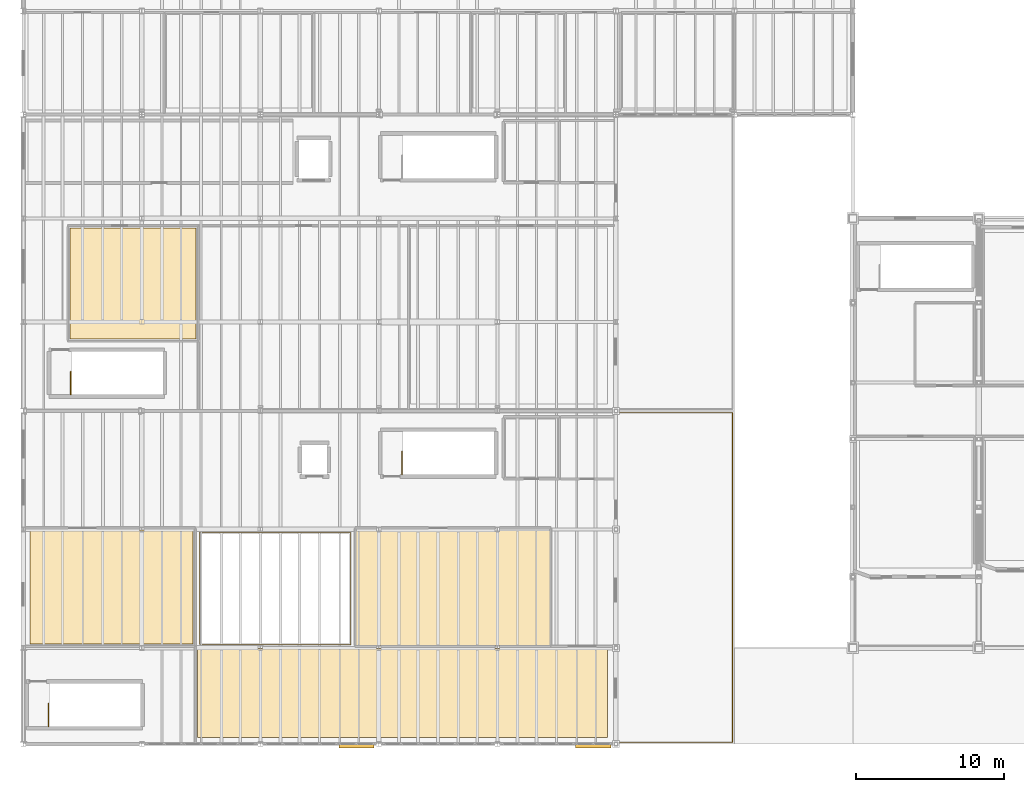
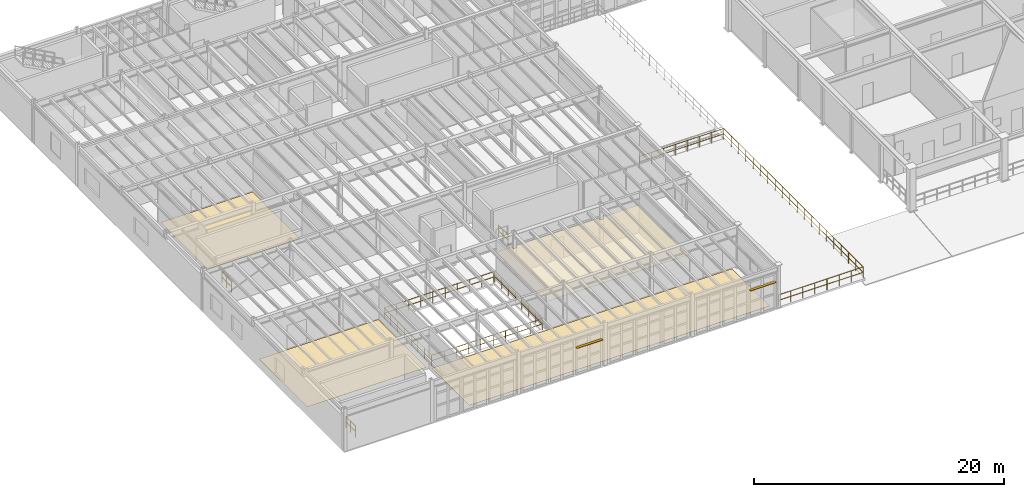
# One storey, part 71 of 78: 6 railings, 4 coverings, 2 shading devices.
"""IFC4 building model written with IfcOpenShell, lengths in metres."""

from ifc_helpers import new_model, si_unit, direction, frame, origin, origin_2d, place, context, subcontext, project, spatial, polyline, rectangle, circle, outline, extrude, material, layer, layer_set, type_object, element, save


model = new_model("IFC4")

# Units and contexts
model_context = context("Model", 3, precision=1e-05, world=origin(), true_north=direction((0.0, 1.0)))
body_context = subcontext(model_context, "Body", "Model", "MODEL_VIEW")
ifc_project = project(units=[si_unit("LENGTHUNIT", "METRE"), si_unit("AREAUNIT", "SQUARE_METRE"), si_unit("VOLUMEUNIT", "CUBIC_METRE"), si_unit("PLANEANGLEUNIT", "RADIAN"), si_unit("MASSUNIT", "GRAM", prefix="KILO"), si_unit("THERMODYNAMICTEMPERATUREUNIT", "KELVIN"), si_unit("POWERUNIT", "WATT")], contexts=[model_context])

# Site, building, storey
site_placement = place(None, origin())
site = spatial("IfcSite", under=ifc_project, at=site_placement, CompositionType="ELEMENT")
building_placement = place(site_placement, origin())
building = spatial("IfcBuilding", under=site, at=building_placement, Name="Zhenchuan Central Fire Station", CompositionType="ELEMENT")
storey_placement = place(building_placement, frame((0.0, 0.0, 5.85009765625)))
storey = spatial("IfcBuildingStorey", under=building, at=storey_placement, Name="L02", CompositionType="ELEMENT", Elevation=5.85009765625)

# Coverings
ifc_material_1 = material(Name="Gypsum plasterboard acoustic ceiling", Category="gypsum")
ifc_layer_1 = layer(ifc_material_1, 0.01806640625, Name="Gypsum plasterboard acoustic ceiling", Category="gypsum")
ifc_layer_set_1 = layer_set([ifc_layer_1], Name="Gypsum plasterboard acoustic ceiling")
covering_type_1 = type_object("IfcCoveringType", Name="COV-CEIL-GYP", PredefinedType="CEILING", material=ifc_layer_set_1)
covering_1_placement = place(storey_placement, frame((0.0, 0.0, 2.64990234375)))
element("IfcCovering", 1, at=covering_1_placement, inside=storey, type_object=covering_type_1, Name="Youth Fire-Safety Classroom Acoustic Ceiling", PredefinedType="CEILING", context=body_context, shape_type="SweptSolid", body=[
    extrude(outline(polyline([(35.60009765625, 14.60009765625), (35.60009765625, 6.60009765625), (32.155029296875, 6.60009765625), (32.155029296875, 6.655029296875), (31.844970703125, 6.655029296875), (31.844970703125, 6.60009765625), (24.155029296875, 6.60009765625), (24.155029296875, 6.655029296875), (23.844970703125, 6.655029296875), (23.844970703125, 6.60009765625), (22.39990234375, 6.60009765625), (22.39990234375, 14.60009765625), (23.844970703125, 14.60009765625), (23.844970703125, 14.344970703125), (24.155029296875, 14.344970703125), (24.155029296875, 14.60009765625), (31.844970703125, 14.60009765625), (31.844970703125, 14.344970703125), (32.155029296875, 14.344970703125), (32.155029296875, 14.60009765625), (35.60009765625, 14.60009765625)])), origin(), (0.0, 0.0, 1.0), 0.01806640625),
])
ifc_material_2 = material(Name="Heavy-duty slip-resistant ceramic tile flooring")
ifc_layer_2 = layer(ifc_material_2, 0.014892578125, Name="Heavy-duty slip-resistant ceramic tile flooring")
ifc_layer_set_2 = layer_set([ifc_layer_2], Name="Heavy-duty slip-resistant ceramic tile flooring")
covering_type_2 = type_object("IfcCoveringType", Name="COV-FLR-RES", PredefinedType="FLOORING", material=ifc_layer_set_2)
covering_2_placement = place(storey_placement, origin())
element("IfcCovering", 2, at=covering_2_placement, inside=storey, type_object=covering_type_2, Name="Upper Safety Interactive Gallery Ceramic Tile Flooring", PredefinedType="FLOORING", context=body_context, shape_type="SweptSolid", body=[
    extrude(outline(polyline([(11.75, 0.449951171875), (39.449951171875, 0.449951171875), (39.449951171875, 6.449951171875), (11.75, 6.449951171875), (11.75, 0.449951171875)])), origin(), (0.0, 0.0, 1.0), 0.014892578125),
])
covering_3_placement = place(storey_placement, origin())
element("IfcCovering", 3, at=covering_3_placement, inside=storey, type_object=covering_type_2, Name="Upper Theatre Projection Booth Ceramic Tile Flooring", PredefinedType="FLOORING", context=body_context, shape_type="SweptSolid", body=[
    extrude(outline(polyline([(0.449951171875, 6.75), (11.449951171875, 6.75), (11.449951171875, 14.449951171875), (0.449951171875, 14.449951171875), (0.449951171875, 6.75)])), origin(), (0.0, 0.0, 1.0), 0.014892578125),
])
covering_4_placement = place(storey_placement, origin())
element("IfcCovering", 4, at=covering_4_placement, inside=storey, type_object=covering_type_2, Name="Confined Search Training Maze Ceramic Tile Flooring", PredefinedType="FLOORING", context=body_context, shape_type="SweptSolid", body=[
    extrude(outline(polyline([(3.14990234375, 27.35009765625), (11.64990234375, 27.35009765625), (11.64990234375, 34.85009765625), (3.14990234375, 34.85009765625), (3.14990234375, 27.35009765625)])), origin(), (0.0, 0.0, 1.0), 0.014892578125),
])

# Railings
ifc_material_3 = material(Name="Galvanised powder-coated steel", Category="steel")
railing_type_1 = type_object("IfcRailingType", Name="RL-EXT-GRD", PredefinedType="GUARDRAIL", material=ifc_material_3)
railing_1_placement = place(storey_placement, frame((11.89990234375, 6.699951171875, 0.0)))
element("IfcRailing", 5, at=railing_1_placement, inside=storey, type_object=railing_type_1, Name="L02 Lecture Theatre Void South-East Guardrail", PredefinedType="GUARDRAIL", context=body_context, shape_type="SweptSolid", body=[
    extrude(circle(Radius=0.02392578125, at=origin_2d()), frame((0.0, 0.0, 1.076171875), z_axis=(1.0, 0.0, 0.0), x_axis=(0.0, 1.0, 0.0)), (0.0, 0.0, 1.0), 10.2001953125),
    extrude(circle(Radius=0.02392578125, at=origin_2d()), frame((0.0, 0.0, 0.550048828125), z_axis=(1.0, 0.0, 0.0), x_axis=(0.0, 1.0, 0.0)), (0.0, 0.0, 1.0), 10.2001953125),
    extrude(circle(Radius=0.02392578125, at=origin_2d()), frame((10.2001953125, 0.0, 1.076171875), z_axis=(0.0, 1.0, 0.0), x_axis=(-1.0, 0.0, 0.0)), (0.0, 0.0, 1.0), 7.60009765625),
    extrude(circle(Radius=0.02392578125, at=origin_2d()), frame((10.2001953125, 0.0, 0.550048828125), z_axis=(0.0, 1.0, 0.0), x_axis=(-1.0, 0.0, 0.0)), (0.0, 0.0, 1.0), 7.60009765625),
    extrude(circle(Radius=0.02099609375, at=origin_2d()), origin(), (0.0, 0.0, 1.0), 1.052001953125),
    extrude(circle(Radius=0.02099609375, at=origin_2d()), frame((1.13330078125, 0.0, 0.0)), (0.0, 0.0, 1.0), 1.052001953125),
    extrude(circle(Radius=0.02099609375, at=origin_2d()), frame((2.2666015625, 0.0, 0.0)), (0.0, 0.0, 1.0), 1.052001953125),
    extrude(circle(Radius=0.02099609375, at=origin_2d()), frame((3.400146484375, 0.0, 0.0)), (0.0, 0.0, 1.0), 1.052001953125),
    extrude(circle(Radius=0.02099609375, at=origin_2d()), frame((4.533447265625, 0.0, 0.0)), (0.0, 0.0, 1.0), 1.052001953125),
    extrude(circle(Radius=0.02099609375, at=origin_2d()), frame((5.666748046875, 0.0, 0.0)), (0.0, 0.0, 1.0), 1.052001953125),
    extrude(circle(Radius=0.02099609375, at=origin_2d()), frame((6.800048828125, 0.0, 0.0)), (0.0, 0.0, 1.0), 1.052001953125),
    extrude(circle(Radius=0.02099609375, at=origin_2d()), frame((7.93359375, 0.0, 0.0)), (0.0, 0.0, 1.0), 1.052001953125),
    extrude(circle(Radius=0.02099609375, at=origin_2d()), frame((9.06689453125, 0.0, 0.0)), (0.0, 0.0, 1.0), 1.052001953125),
    extrude(circle(Radius=0.02099609375, at=origin_2d()), frame((10.2001953125, 0.0, 0.0)), (0.0, 0.0, 1.0), 1.052001953125),
    extrude(circle(Radius=0.02099609375, at=origin_2d()), frame((10.2001953125, 1.085693359375, 0.0)), (0.0, 0.0, 1.0), 1.052001953125),
    extrude(circle(Radius=0.02099609375, at=origin_2d()), frame((10.2001953125, 2.17138671875, 0.0)), (0.0, 0.0, 1.0), 1.052001953125),
    extrude(circle(Radius=0.02099609375, at=origin_2d()), frame((10.2001953125, 3.257080078125, 0.0)), (0.0, 0.0, 1.0), 1.052001953125),
    extrude(circle(Radius=0.02099609375, at=origin_2d()), frame((10.2001953125, 4.343017578125, 0.0)), (0.0, 0.0, 1.0), 1.052001953125),
    extrude(circle(Radius=0.02099609375, at=origin_2d()), frame((10.2001953125, 5.4287109375, 0.0)), (0.0, 0.0, 1.0), 1.052001953125),
    extrude(circle(Radius=0.02099609375, at=origin_2d()), frame((10.2001953125, 6.514404296875, 0.0)), (0.0, 0.0, 1.0), 1.052001953125),
    extrude(circle(Radius=0.02099609375, at=origin_2d()), frame((10.2001953125, 7.60009765625, 0.0)), (0.0, 0.0, 1.0), 1.052001953125),
])
railing_2_placement = place(storey_placement, frame((22.02001953125, 14.300048828125, 0.0)))
element("IfcRailing", 6, at=railing_2_placement, inside=storey, type_object=railing_type_1, Name="L02 Lecture Theatre Void North-West Guardrail", PredefinedType="GUARDRAIL", context=body_context, shape_type="SweptSolid", body=[
    extrude(circle(Radius=0.02392578125, at=origin_2d()), frame((0.0, 0.0, 1.076171875), z_axis=(-1.0, 0.0, 0.0), x_axis=(0.0, -1.0, 0.0)), (0.0, 0.0, 1.0), 10.1201171875),
    extrude(circle(Radius=0.02392578125, at=origin_2d()), frame((0.0, 0.0, 0.550048828125), z_axis=(-1.0, 0.0, 0.0), x_axis=(0.0, -1.0, 0.0)), (0.0, 0.0, 1.0), 10.1201171875),
    extrude(circle(Radius=0.02392578125, at=origin_2d()), frame((-10.1201171875, 0.0, 1.076171875), z_axis=(0.0, -1.0, 0.0), x_axis=(1.0, 0.0, 0.0)), (0.0, 0.0, 1.0), 7.52001953125),
    extrude(circle(Radius=0.02392578125, at=origin_2d()), frame((-10.1201171875, 0.0, 0.550048828125), z_axis=(0.0, -1.0, 0.0), x_axis=(1.0, 0.0, 0.0)), (0.0, 0.0, 1.0), 7.52001953125),
    extrude(circle(Radius=0.02099609375, at=origin_2d()), origin(), (0.0, 0.0, 1.0), 1.052001953125),
    extrude(circle(Radius=0.02099609375, at=origin_2d()), frame((-1.12451171875, 0.0, 0.0)), (0.0, 0.0, 1.0), 1.052001953125),
    extrude(circle(Radius=0.02099609375, at=origin_2d()), frame((-2.2490234375, 0.0, 0.0)), (0.0, 0.0, 1.0), 1.052001953125),
    extrude(circle(Radius=0.02099609375, at=origin_2d()), frame((-3.373291015625, 0.0, 0.0)), (0.0, 0.0, 1.0), 1.052001953125),
    extrude(circle(Radius=0.02099609375, at=origin_2d()), frame((-4.497802734375, 0.0, 0.0)), (0.0, 0.0, 1.0), 1.052001953125),
    extrude(circle(Radius=0.02099609375, at=origin_2d()), frame((-5.622314453125, 0.0, 0.0)), (0.0, 0.0, 1.0), 1.052001953125),
    extrude(circle(Radius=0.02099609375, at=origin_2d()), frame((-6.746826171875, 0.0, 0.0)), (0.0, 0.0, 1.0), 1.052001953125),
    extrude(circle(Radius=0.02099609375, at=origin_2d()), frame((-7.87109375, 0.0, 0.0)), (0.0, 0.0, 1.0), 1.052001953125),
    extrude(circle(Radius=0.02099609375, at=origin_2d()), frame((-8.99560546875, 0.0, 0.0)), (0.0, 0.0, 1.0), 1.052001953125),
    extrude(circle(Radius=0.02099609375, at=origin_2d()), frame((-10.1201171875, 0.0, 0.0)), (0.0, 0.0, 1.0), 1.052001953125),
    extrude(circle(Radius=0.02099609375, at=origin_2d()), frame((-10.1201171875, -1.07421875, 0.0)), (0.0, 0.0, 1.0), 1.052001953125),
    extrude(circle(Radius=0.02099609375, at=origin_2d()), frame((-10.1201171875, -2.148681640625, 0.0)), (0.0, 0.0, 1.0), 1.052001953125),
    extrude(circle(Radius=0.02099609375, at=origin_2d()), frame((-10.1201171875, -3.222900390625, 0.0)), (0.0, 0.0, 1.0), 1.052001953125),
    extrude(circle(Radius=0.02099609375, at=origin_2d()), frame((-10.1201171875, -4.297119140625, 0.0)), (0.0, 0.0, 1.0), 1.052001953125),
    extrude(circle(Radius=0.02099609375, at=origin_2d()), frame((-10.1201171875, -5.371337890625, 0.0)), (0.0, 0.0, 1.0), 1.052001953125),
    extrude(circle(Radius=0.02099609375, at=origin_2d()), frame((-10.1201171875, -6.44580078125, 0.0)), (0.0, 0.0, 1.0), 1.052001953125),
    extrude(circle(Radius=0.02099609375, at=origin_2d()), frame((-10.1201171875, -7.52001953125, 0.0)), (0.0, 0.0, 1.0), 1.052001953125),
])
railing_3_placement = place(storey_placement, frame((40.10009765625, 0.1201171875, 0.0)))
element("IfcRailing", 7, at=railing_3_placement, inside=storey, type_object=railing_type_1, Name="GRD-L02-V5TER", PredefinedType="GUARDRAIL", context=body_context, shape_type="SweptSolid", body=[
    extrude(circle(Radius=0.02392578125, at=origin_2d()), frame((0.0, 0.0, 1.076171875), z_axis=(1.0, 0.0, 0.0), x_axis=(0.0, 1.0, 0.0)), (0.0, 0.0, 1.0), 7.77978515625),
    extrude(circle(Radius=0.02392578125, at=origin_2d()), frame((0.0, 0.0, 0.550048828125), z_axis=(1.0, 0.0, 0.0), x_axis=(0.0, 1.0, 0.0)), (0.0, 0.0, 1.0), 7.77978515625),
    extrude(circle(Radius=0.02392578125, at=origin_2d()), frame((7.77978515625, 0.0, 1.076171875), z_axis=(0.0, 1.0, 0.0), x_axis=(-1.0, 0.0, 0.0)), (0.0, 0.0, 1.0), 22.259765625),
    extrude(circle(Radius=0.02392578125, at=origin_2d()), frame((7.77978515625, 0.0, 0.550048828125), z_axis=(0.0, 1.0, 0.0), x_axis=(-1.0, 0.0, 0.0)), (0.0, 0.0, 1.0), 22.259765625),
    extrude(circle(Radius=0.02392578125, at=origin_2d()), frame((7.77978515625, 22.259765625, 1.076171875), z_axis=(-1.0, 0.0, 0.0), x_axis=(0.0, -1.0, 0.0)), (0.0, 0.0, 1.0), 7.77978515625),
    extrude(circle(Radius=0.02392578125, at=origin_2d()), frame((7.77978515625, 22.259765625, 0.550048828125), z_axis=(-1.0, 0.0, 0.0), x_axis=(0.0, -1.0, 0.0)), (0.0, 0.0, 1.0), 7.77978515625),
    extrude(circle(Radius=0.02099609375, at=origin_2d()), origin(), (0.0, 0.0, 1.0), 1.052001953125),
    extrude(circle(Radius=0.02099609375, at=origin_2d()), frame((1.111328125, 0.0, 0.0)), (0.0, 0.0, 1.0), 1.052001953125),
    extrude(circle(Radius=0.02099609375, at=origin_2d()), frame((2.222900390625, 0.0, 0.0)), (0.0, 0.0, 1.0), 1.052001953125),
    extrude(circle(Radius=0.02099609375, at=origin_2d()), frame((3.334228515625, 0.0, 0.0)), (0.0, 0.0, 1.0), 1.052001953125),
    extrude(circle(Radius=0.02099609375, at=origin_2d()), frame((4.445556640625, 0.0, 0.0)), (0.0, 0.0, 1.0), 1.052001953125),
    extrude(circle(Radius=0.02099609375, at=origin_2d()), frame((5.556884765625, 0.0, 0.0)), (0.0, 0.0, 1.0), 1.052001953125),
    extrude(circle(Radius=0.02099609375, at=origin_2d()), frame((6.66845703125, 0.0, 0.0)), (0.0, 0.0, 1.0), 1.052001953125),
    extrude(circle(Radius=0.02099609375, at=origin_2d()), frame((7.77978515625, 0.0, 0.0)), (0.0, 0.0, 1.0), 1.052001953125),
    extrude(circle(Radius=0.02099609375, at=origin_2d()), frame((7.77978515625, 1.171630859375, 0.0)), (0.0, 0.0, 1.0), 1.052001953125),
    extrude(circle(Radius=0.02099609375, at=origin_2d()), frame((7.77978515625, 2.343017578125, 0.0)), (0.0, 0.0, 1.0), 1.052001953125),
    extrude(circle(Radius=0.02099609375, at=origin_2d()), frame((7.77978515625, 3.5146484375, 0.0)), (0.0, 0.0, 1.0), 1.052001953125),
    extrude(circle(Radius=0.02099609375, at=origin_2d()), frame((7.77978515625, 4.686279296875, 0.0)), (0.0, 0.0, 1.0), 1.052001953125),
    extrude(circle(Radius=0.02099609375, at=origin_2d()), frame((7.77978515625, 5.85791015625, 0.0)), (0.0, 0.0, 1.0), 1.052001953125),
    extrude(circle(Radius=0.02099609375, at=origin_2d()), frame((7.77978515625, 7.029296875, 0.0)), (0.0, 0.0, 1.0), 1.052001953125),
    extrude(circle(Radius=0.02099609375, at=origin_2d()), frame((7.77978515625, 8.200927734375, 0.0)), (0.0, 0.0, 1.0), 1.052001953125),
    extrude(circle(Radius=0.02099609375, at=origin_2d()), frame((7.77978515625, 9.37255859375, 0.0)), (0.0, 0.0, 1.0), 1.052001953125),
    extrude(circle(Radius=0.02099609375, at=origin_2d()), frame((7.77978515625, 10.544189453125, 0.0)), (0.0, 0.0, 1.0), 1.052001953125),
    extrude(circle(Radius=0.02099609375, at=origin_2d()), frame((7.77978515625, 11.715576171875, 0.0)), (0.0, 0.0, 1.0), 1.052001953125),
    extrude(circle(Radius=0.02099609375, at=origin_2d()), frame((7.77978515625, 12.88720703125, 0.0)), (0.0, 0.0, 1.0), 1.052001953125),
    extrude(circle(Radius=0.02099609375, at=origin_2d()), frame((7.77978515625, 14.058837890625, 0.0)), (0.0, 0.0, 1.0), 1.052001953125),
    extrude(circle(Radius=0.02099609375, at=origin_2d()), frame((7.77978515625, 15.23046875, 0.0)), (0.0, 0.0, 1.0), 1.052001953125),
    extrude(circle(Radius=0.02099609375, at=origin_2d()), frame((7.77978515625, 16.40185546875, 0.0)), (0.0, 0.0, 1.0), 1.052001953125),
    extrude(circle(Radius=0.02099609375, at=origin_2d()), frame((7.77978515625, 17.573486328125, 0.0)), (0.0, 0.0, 1.0), 1.052001953125),
    extrude(circle(Radius=0.02099609375, at=origin_2d()), frame((7.77978515625, 18.7451171875, 0.0)), (0.0, 0.0, 1.0), 1.052001953125),
    extrude(circle(Radius=0.02099609375, at=origin_2d()), frame((7.77978515625, 19.916748046875, 0.0)), (0.0, 0.0, 1.0), 1.052001953125),
    extrude(circle(Radius=0.02099609375, at=origin_2d()), frame((7.77978515625, 21.088134765625, 0.0)), (0.0, 0.0, 1.0), 1.052001953125),
    extrude(circle(Radius=0.02099609375, at=origin_2d()), frame((7.77978515625, 22.259765625, 0.0)), (0.0, 0.0, 1.0), 1.052001953125),
    extrude(circle(Radius=0.02099609375, at=origin_2d()), frame((6.66845703125, 22.259765625, 0.0)), (0.0, 0.0, 1.0), 1.052001953125),
    extrude(circle(Radius=0.02099609375, at=origin_2d()), frame((5.556884765625, 22.259765625, 0.0)), (0.0, 0.0, 1.0), 1.052001953125),
    extrude(circle(Radius=0.02099609375, at=origin_2d()), frame((4.445556640625, 22.259765625, 0.0)), (0.0, 0.0, 1.0), 1.052001953125),
    extrude(circle(Radius=0.02099609375, at=origin_2d()), frame((3.334228515625, 22.259765625, 0.0)), (0.0, 0.0, 1.0), 1.052001953125),
    extrude(circle(Radius=0.02099609375, at=origin_2d()), frame((2.222900390625, 22.259765625, 0.0)), (0.0, 0.0, 1.0), 1.052001953125),
    extrude(circle(Radius=0.02099609375, at=origin_2d()), frame((1.111328125, 22.259765625, 0.0)), (0.0, 0.0, 1.0), 1.052001953125),
    extrude(circle(Radius=0.02099609375, at=origin_2d()), frame((0.0, 22.259765625, 0.0)), (0.0, 0.0, 1.0), 1.052001953125),
])
railing_type_2 = type_object("IfcRailingType", Name="RL-ST-GRD", PredefinedType="GUARDRAIL", material=ifc_material_3)
for number, where, name in (
    (8, (1.699951171875, 1.199951171875, 0.0), "L02 ST-01 top well guard 1"),
    (9, (25.570068359375, 18.199951171875, 0.0), "L02 ST-02 top well guard 1"),
):
    element("IfcRailing", number, at=place(storey_placement, frame(where)), inside=storey, type_object=railing_type_2, Name=name, PredefinedType="GUARDRAIL", context=body_context, shape_type="SweptSolid", body=[
        extrude(circle(Radius=0.02392578125, at=origin_2d()), frame((0.0, 0.0, 1.076171875), z_axis=(0.0, 1.0, 0.0), x_axis=(-1.0, 0.0, 0.0)), (0.0, 0.0, 1.0), 1.550048828125),
        extrude(circle(Radius=0.02392578125, at=origin_2d()), frame((0.0, 0.0, 0.550048828125), z_axis=(0.0, 1.0, 0.0), x_axis=(-1.0, 0.0, 0.0)), (0.0, 0.0, 1.0), 1.550048828125),
        extrude(circle(Radius=0.02099609375, at=origin_2d()), origin(), (0.0, 0.0, 1.0), 1.052001953125),
        extrude(circle(Radius=0.02099609375, at=origin_2d()), frame((0.0, 0.77490234375, 0.0)), (0.0, 0.0, 1.0), 1.052001953125),
        extrude(circle(Radius=0.02099609375, at=origin_2d()), frame((0.0, 1.550048828125, 0.0)), (0.0, 0.0, 1.0), 1.052001953125),
    ])
railing_4_placement = place(storey_placement, frame((3.199951171875, 23.60009765625, 0.0)))
element("IfcRailing", 10, at=railing_4_placement, inside=storey, type_object=railing_type_2, Name="L02 ST-03 top well guard 1", PredefinedType="GUARDRAIL", context=body_context, shape_type="SweptSolid", body=[
    extrude(circle(Radius=0.02392578125, at=origin_2d()), frame((0.0, 0.0, 1.076171875), z_axis=(0.0, 1.0, 0.0), x_axis=(-1.0, 0.0, 0.0)), (0.0, 0.0, 1.0), 1.5498046875),
    extrude(circle(Radius=0.02392578125, at=origin_2d()), frame((0.0, 0.0, 0.550048828125), z_axis=(0.0, 1.0, 0.0), x_axis=(-1.0, 0.0, 0.0)), (0.0, 0.0, 1.0), 1.5498046875),
    extrude(circle(Radius=0.02099609375, at=origin_2d()), origin(), (0.0, 0.0, 1.0), 1.052001953125),
    extrude(circle(Radius=0.02099609375, at=origin_2d()), frame((0.0, 0.77490234375, 0.0)), (0.0, 0.0, 1.0), 1.052001953125),
    extrude(circle(Radius=0.02099609375, at=origin_2d()), frame((0.0, 1.5498046875, 0.0)), (0.0, 0.0, 1.0), 1.052001953125),
])

# Shading devices
ifc_material_4 = material(Name="Anodised aluminium EN AW-6063", Category="aluminium")
ifc_layer_3 = layer(ifc_material_4, 0.0400390625, Name="Anodised aluminium EN AW-6063", Category="aluminium")
ifc_layer_set_3 = layer_set([ifc_layer_3], Name="Anodised aluminium EN AW-6063")
shading_device_type = type_object("IfcShadingDeviceType", Name="SHD-ALU-FIN", PredefinedType="JALOUSIE", material=ifc_layer_set_3)
for number, where, z_axis, x_axis, name in (
    (11, (22.485595703125, -0.138427734375, 2.62939453125), (0.0, 0.0, 1.0), (1.0, 0.0, 0.0), "Perforated Aluminium Sun-Shading Louvre 003"),
    (12, (38.485595703125, -0.138427734375, 2.62939453125), (0.0, 0.0, 1.0), (1.0, 0.0, 0.0), "Perforated Aluminium Sun-Shading Louvre 004"),
):
    element("IfcShadingDevice", number, at=place(storey_placement, frame(where, z_axis=z_axis, x_axis=x_axis)), inside=storey, type_object=shading_device_type, Name=name, PredefinedType="JALOUSIE", context=body_context, shape_type="SweptSolid", body=[
        extrude(rectangle(XDim=2.388671875, YDim=0.219970703125, at=origin_2d()), origin(), (0.0, 0.0, 1.0), 0.044921875),
    ])

save(model, "model.ifc")
